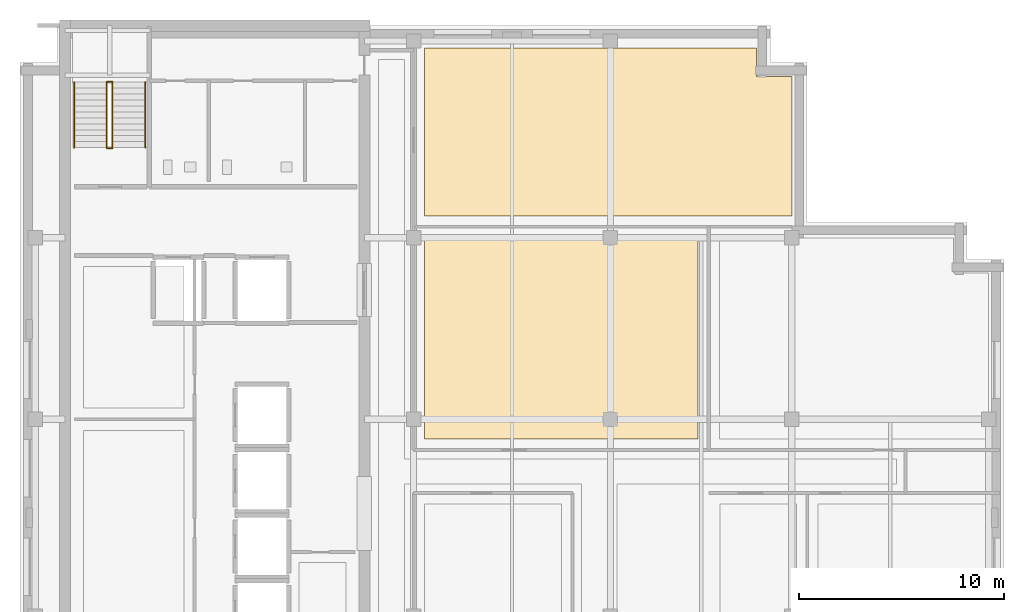
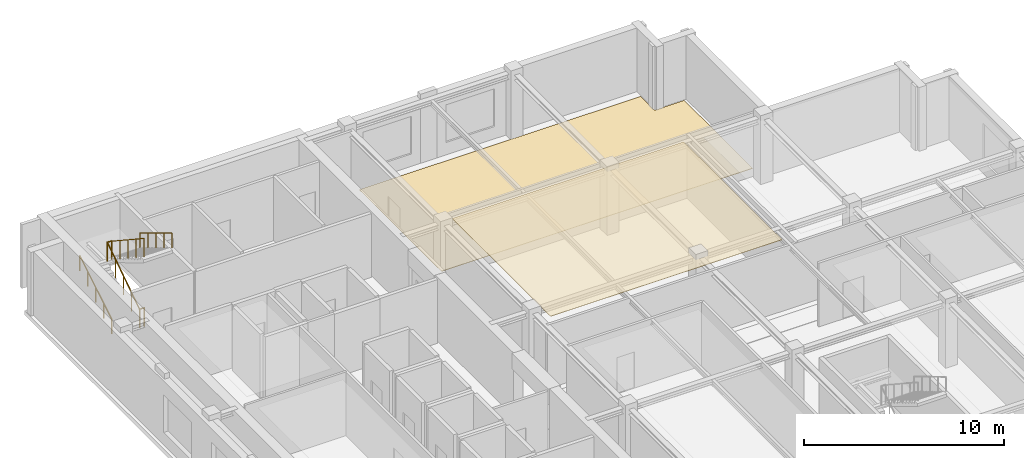
# One storey, part 8 of 10: 6 railings, 2 coverings.
"""IFC4 building model written with IfcOpenShell, lengths in metres."""

import ifcopenshell
import ifcopenshell.guid

model = None  # the IFC model being written
_history = None  # IfcOwnerHistory: only IFC2X3 demands one
_inside = {}  # id of a spatial element -> (the spatial element, [elements in it])
_under = {}  # id of a project, library or spatial element -> (it, [spatial elements below it])
_declared = {}  # id of a project -> (the project, [libraries it declares])
_typed = {}  # id of a type object -> (the type object, [elements of that type])
_made_of = {}  # id of a material, layer set ... -> (it, [elements and type objects made of it])


def new_model(schema):
    """Start an empty IFC model of exactly this schema.

    Asked for "IFC4X3", IfcOpenShell would pick the latest addendum, in which some entities
    have other attributes; the version numbers below select the first issue.
    IFC2X3 requires an IfcOwnerHistory on every rooted entity: one is made here for all.
    """
    global model, _history
    if schema == "IFC4X3":
        model = ifcopenshell.file(schema_version=(4, 3, 0, 0))
    else:
        model = ifcopenshell.file(schema=schema)
    _inside.clear()
    _under.clear()
    _declared.clear()
    _typed.clear()
    _made_of.clear()
    _history = None
    if model.schema == "IFC2X3":
        org = make("IfcOrganization", Name="unknown")
        user = make(
            "IfcPersonAndOrganization",
            ThePerson=make("IfcPerson", FamilyName="unknown"),
            TheOrganization=org,
        )
        app = make(
            "IfcApplication",
            ApplicationDeveloper=org,
            Version="unknown",
            ApplicationFullName="unknown",
            ApplicationIdentifier="unknown",
        )
        _history = make(
            "IfcOwnerHistory",
            OwningUser=user,
            OwningApplication=app,
            ChangeAction="ADDED",
            CreationDate=0,
        )
    return model


def make(cls, **values):
    """One entity of the class cls with the attributes given. An attribute that is None is left unset."""
    return model.create_entity(
        cls, **{name: value for name, value in values.items() if value is not None}
    )


def rooted(cls, **values):
    """An entity with a GlobalId (a new one), such as an element, a storey or a relation."""
    return make(cls, GlobalId=ifcopenshell.guid.new(), OwnerHistory=_history, **values)


def si_unit(unit_type, name, prefix=None):
    """IfcSIUnit, for example si_unit("LENGTHUNIT", "METRE", prefix="MILLI")."""
    return make("IfcSIUnit", UnitType=unit_type, Prefix=prefix, Name=name)


def assignment(units):
    """IfcUnitAssignment: the units of a project."""
    return None if units is None else make("IfcUnitAssignment", Units=units)


def point(xyz):
    """IfcCartesianPoint."""
    return None if xyz is None else make("IfcCartesianPoint", Coordinates=xyz)


def direction(xyz):
    """IfcDirection."""
    return None if xyz is None else make("IfcDirection", DirectionRatios=xyz)


def frame(location, z_axis=None, x_axis=None):
    """IfcAxis2Placement3D, a coordinate frame: its origin and axes. An axis left out is left unset."""
    return make(
        "IfcAxis2Placement3D",
        Location=point(location),
        Axis=direction(z_axis),
        RefDirection=direction(x_axis),
    )


def frame_2d(location, x_axis=None):
    """IfcAxis2Placement2D, a coordinate frame in the plane: its origin and x axis."""
    return make(
        "IfcAxis2Placement2D", Location=point(location), RefDirection=direction(x_axis)
    )


def origin():
    """The frame at (0, 0, 0) with its axes left unset."""
    return frame((0.0, 0.0, 0.0))


def origin_2d():
    """The frame at (0, 0) in the plane with its x axis left unset."""
    return frame_2d((0.0, 0.0))


def place(relative_to, where):
    """IfcLocalPlacement: puts the frame where relative to a parent placement (None: the world)."""
    return make(
        "IfcLocalPlacement", PlacementRelTo=relative_to, RelativePlacement=where
    )


def context(
    kind, dimensions, precision=None, world=None, true_north=None, identifier=None
):
    """IfcGeometricRepresentationContext, for example the 3D "Model" context."""
    return make(
        "IfcGeometricRepresentationContext",
        ContextIdentifier=identifier,
        ContextType=kind,
        CoordinateSpaceDimension=dimensions,
        Precision=precision,
        WorldCoordinateSystem=world,
        TrueNorth=true_north,
    )


def subcontext(parent, identifier, kind, view, scale=None):
    """IfcGeometricRepresentationSubContext, for example "Body" below "Model"."""
    return make(
        "IfcGeometricRepresentationSubContext",
        ContextIdentifier=identifier,
        ContextType=kind,
        ParentContext=parent,
        TargetScale=scale,
        TargetView=view,
    )


def project(units=None, contexts=None):
    """IfcProject with its units and contexts."""
    return rooted(
        "IfcProject",
        Name="project",
        RepresentationContexts=contexts,
        UnitsInContext=assignment(units),
    )


def spatial(cls, under=None, at=None, **own):
    """A site, building, storey or space (cls), placed at a placement, below another one or the project."""
    s = rooted(cls, ObjectPlacement=at, **own)
    if under is not None:
        _under.setdefault(under.id(), (under, []))[1].append(s)
    return s


def polyline(points):
    """IfcPolyline through the points."""
    return make("IfcPolyline", Points=[point(p) for p in points])


def profile(cls, at=None, kind="AREA", **sizes):
    """A parametric profile (cls). Its sizes go by their IFC names, for example OverallWidth=200.0."""
    return make(cls, ProfileType=kind, Position=at, **sizes)


def circle(**sizes):
    """IfcCircleProfileDef."""
    return profile("IfcCircleProfileDef", **sizes)


def outline(outer, holes=None, kind="AREA"):
    """IfcArbitraryClosedProfileDef: a profile drawn as a closed curve; with holes, ...WithVoids."""
    if holes is None:
        return make("IfcArbitraryClosedProfileDef", ProfileType=kind, OuterCurve=outer)
    return make(
        "IfcArbitraryProfileDefWithVoids",
        ProfileType=kind,
        OuterCurve=outer,
        InnerCurves=holes,
    )


def extrude(swept, where, along, depth):
    """IfcExtrudedAreaSolid: the profile swept, set in the frame where, extruded along a direction by depth."""
    return make(
        "IfcExtrudedAreaSolid",
        SweptArea=swept,
        Position=where,
        ExtrudedDirection=direction(along),
        Depth=depth,
    )


def shape(context_of_items, identifier, shape_type, items):
    """IfcShapeRepresentation: the items that make up one representation, for example the "Body"."""
    return make(
        "IfcShapeRepresentation",
        ContextOfItems=context_of_items,
        RepresentationIdentifier=identifier,
        RepresentationType=shape_type,
        Items=items,
    )


def material(Name=None, Category=None):
    """IfcMaterial."""
    return make("IfcMaterial", Name=Name, Category=Category)


def layer(
    of_material, thickness, ventilated=None, Name=None, Category=None, Priority=None
):
    """IfcMaterialLayer: one layer of a wall or slab, of a material (None: an air gap)."""
    return make(
        "IfcMaterialLayer",
        Material=of_material,
        LayerThickness=thickness,
        IsVentilated=ventilated,
        Name=Name,
        Category=Category,
        Priority=Priority,
    )


def layer_set(layers, Name=None):
    """IfcMaterialLayerSet."""
    return make("IfcMaterialLayerSet", MaterialLayers=layers, LayerSetName=Name)


def made_of(thing, what):
    """Note that an element or type object is made of a material, layer set ...; save() writes the relation."""
    if what is not None:
        _made_of.setdefault(what.id(), (what, []))[1].append(thing)
    return thing


def type_object(cls, material=None, **own):
    """A type object (cls), such as IfcWallType, which elements share."""
    return made_of(rooted(cls, **own), material)


def element(
    cls,
    number,
    at=None,
    inside=None,
    cuts=None,
    type_object=None,
    material=None,
    context=None,
    identifier="Body",
    shape_type=None,
    held_by="IfcProductDefinitionShape",
    body=None,
    shapes=None,
    **own,
):
    """One element of the class cls, such as IfcWall. Its Tag is "e" and its number.

    at: its placement. inside: the storey or other place that contains it. cuts: it is an
    opening in that element (IfcRelVoidsElement). A single representation is given by context,
    identifier, shape_type and body (its items); several are given by shapes. held_by: the class
    of the entity that holds the representations. save() writes the other relations.
    """
    e = rooted(cls, Tag="e%d" % number, ObjectPlacement=at, **own)
    if body is not None:
        shapes = [shape(context, identifier, shape_type, body)]
    if shapes is not None:
        e.Representation = make(held_by, Representations=shapes)
    if inside is not None:
        _inside.setdefault(inside.id(), (inside, []))[1].append(e)
    if cuts is not None:
        rooted(
            "IfcRelVoidsElement", RelatingBuildingElement=cuts, RelatedOpeningElement=e
        )
    if type_object is not None:
        _typed.setdefault(type_object.id(), (type_object, []))[1].append(e)
    return made_of(e, material)


def aggregate(whole, parts):
    """IfcRelAggregates: a whole, such as a stair, and the parts it consists of."""
    return rooted("IfcRelAggregates", RelatingObject=whole, RelatedObjects=parts)


def save(model, path):
    """Write the relations noted so far, then the file.

    IfcRelAggregates (storeys below a building ...), IfcRelContainedInSpatialStructure (elements
    in a storey), IfcRelDefinesByType, IfcRelAssociatesMaterial and IfcRelDeclares: one each for
    every whole, place, type object, material and project.
    """
    for whole, parts in _under.values():
        aggregate(whole, parts)
    for where, things in _inside.values():
        rooted(
            "IfcRelContainedInSpatialStructure",
            RelatedElements=things,
            RelatingStructure=where,
        )
    for kind, things in _typed.values():
        rooted("IfcRelDefinesByType", RelatedObjects=things, RelatingType=kind)
    for what, things in _made_of.values():
        rooted("IfcRelAssociatesMaterial", RelatedObjects=things, RelatingMaterial=what)
    for by, libraries in _declared.values():
        rooted("IfcRelDeclares", RelatingContext=by, RelatedDefinitions=libraries)
    model.write(path)


model = new_model("IFC4")

# Units and contexts
model_context = context("Model", 3, precision=1e-05, world=origin(), true_north=direction((0.0, 1.0)))
body_context = subcontext(model_context, "Body", "Model", "MODEL_VIEW")
ifc_project = project(units=[si_unit("LENGTHUNIT", "METRE"), si_unit("AREAUNIT", "SQUARE_METRE"), si_unit("VOLUMEUNIT", "CUBIC_METRE"), si_unit("PLANEANGLEUNIT", "RADIAN"), si_unit("MASSUNIT", "GRAM", prefix="KILO")], contexts=[model_context])

# Site, building, storey
site_placement = place(None, origin())
site = spatial("IfcSite", under=ifc_project, at=site_placement, CompositionType="ELEMENT")
building_placement = place(site_placement, origin())
building = spatial("IfcBuilding", under=site, at=building_placement, Name="Norrvale University Quadrangle", CompositionType="ELEMENT")
storey_placement = place(building_placement, frame((0.0, 0.0, 303.800048828125)))
storey = spatial("IfcBuildingStorey", under=building, at=storey_placement, Name="L77", CompositionType="ELEMENT", Elevation=303.800048828125)

# Coverings
ifc_material_1 = material(Name="Perforated Acoustic Mineral Ceiling")
ifc_layer_1 = layer(ifc_material_1, 0.02490234375, Name="Perforated Acoustic Mineral Ceiling")
ifc_layer_set_1 = layer_set([ifc_layer_1], Name="Perforated Acoustic Mineral Ceiling")
covering_type_1 = type_object("IfcCoveringType", Name="Covering Acoustic Ceiling 25", PredefinedType="CEILING", material=ifc_layer_set_1)
covering_1_placement = place(storey_placement, frame((0.0, 0.0, 3.85498046875)))
element("IfcCovering", 1, at=covering_1_placement, inside=storey, type_object=covering_type_1, Name="Acoustic Ceiling RM-L77-ME01", PredefinedType="CEILING", context=body_context, shape_type="SweptSolid", body=[
    extrude(outline(polyline([(19.72998046875, 37.64990234375), (33.070068359375, 37.64990234375), (33.070068359375, 27.830078125), (19.72998046875, 27.830078125), (19.72998046875, 37.64990234375)])), origin(), (0.0, 0.0, 1.0), 0.02490234375),
])
ifc_material_2 = material(Name="Polished Terrazzo Flooring")
ifc_layer_2 = layer(ifc_material_2, 0.02490234375, Name="Polished Terrazzo Flooring")
ifc_layer_set_2 = layer_set([ifc_layer_2], Name="Polished Terrazzo Flooring")
covering_type_2 = type_object("IfcCoveringType", Name="Covering Terrazzo Floor 30", PredefinedType="FLOORING", material=ifc_layer_set_2)
covering_2_placement = place(storey_placement, origin())
element("IfcCovering", 2, at=covering_2_placement, inside=storey, type_object=covering_type_2, Name="Terrazzo Flooring RM-L77-NE01", PredefinedType="FLOORING", context=body_context, shape_type="SweptSolid", body=[
    extrude(outline(polyline([(37.64990234375, 38.7099609375), (19.72998046875, 38.7099609375), (19.72998046875, 46.919921875), (35.929931640625, 46.919921875), (35.929931640625, 45.530029296875), (37.64990234375, 45.530029296875), (37.64990234375, 38.7099609375)])), origin(), (0.0, 0.0, 1.0), 0.02490234375),
])

# Railings
ifc_material_3 = material(Name="Steel 350W Painted Balustrade", Category="steel")
railing_type_1 = type_object("IfcRailingType", Name="Railing Stair Guard 1100", PredefinedType="GUARDRAIL", material=ifc_material_3)
for number, where, name in (
    (3, (4.239990234375, 42.02001953125, 0.0), "Stair Floor Well Guard ST-02 L77"),
    (4, (4.239990234375, 45.27001953125, 2.099853515625), "Stair Mid-Landing Slot Guard ST-02 L77"),
):
    element("IfcRailing", number, at=place(storey_placement, frame(where)), inside=storey, type_object=railing_type_1, Name=name, PredefinedType="GUARDRAIL", context=body_context, shape_type="SweptSolid", body=[
        extrude(circle(Radius=0.02392578125, at=origin_2d()), frame((0.0, 0.0, 1.1259765625), z_axis=(1.0, 0.0, 0.0), x_axis=(0.0, 1.0, 0.0)), (0.0, 0.0, 1.0), 0.27001953125),
        extrude(circle(Radius=0.02099609375, at=origin_2d()), origin(), (0.0, 0.0, 1.0), 1.101806640625),
        extrude(circle(Radius=0.02099609375, at=origin_2d()), frame((0.27001953125, 0.0, 0.0)), (0.0, 0.0, 1.0), 1.101806640625),
    ])
railing_1_placement = place(storey_placement, frame((4.239990234375, 42.050048828125, 0.0)))
element("IfcRailing", 5, at=railing_1_placement, inside=storey, type_object=railing_type_1, Name="Stair Lower Flight Inner Guard ST-02 L77", PredefinedType="GUARDRAIL", context=body_context, shape_type="SweptSolid", body=[
    extrude(circle(Radius=0.02392578125, at=origin_2d()), frame((0.0, 0.0, 1.1259765625), z_axis=(0.0, 0.835271834381, 0.549837214719), x_axis=(-1.0, 0.0, 0.0)), (0.0, 0.0, 1.0), 3.819091796875),
    extrude(circle(Radius=0.02099609375, at=origin_2d()), origin(), (0.0, 0.0, 1.0), 1.101806640625),
    extrude(circle(Radius=0.02099609375, at=origin_2d()), frame((0.0, 0.79736328125, 0.52490234375)), (0.0, 0.0, 1.0), 1.101806640625),
    extrude(circle(Radius=0.02099609375, at=origin_2d()), frame((0.0, 1.594970703125, 1.0498046875)), (0.0, 0.0, 1.0), 1.101806640625),
    extrude(circle(Radius=0.02099609375, at=origin_2d()), frame((0.0, 2.392578125, 1.574951171875)), (0.0, 0.0, 1.0), 1.101806640625),
    extrude(circle(Radius=0.02099609375, at=origin_2d()), frame((0.0, 3.18994140625, 2.099853515625)), (0.0, 0.0, 1.0), 1.101806640625),
])
railing_2_placement = place(storey_placement, frame((4.510009765625, 45.239990234375, 2.099853515625)))
element("IfcRailing", 6, at=railing_2_placement, inside=storey, type_object=railing_type_1, Name="Stair Upper Flight Inner Guard ST-02 L77", PredefinedType="GUARDRAIL", context=body_context, shape_type="SweptSolid", body=[
    extrude(circle(Radius=0.02392578125, at=origin_2d()), frame((0.0, 0.0, 1.1259765625), z_axis=(0.0, -0.835242474824, 0.549881812983), x_axis=(1.0, 0.0, 0.0)), (0.0, 0.0, 1.0), 3.819091796875),
    extrude(circle(Radius=0.02099609375, at=origin_2d()), origin(), (0.0, 0.0, 1.0), 1.101806640625),
    extrude(circle(Radius=0.02099609375, at=origin_2d()), frame((0.0, -0.79736328125, 0.52490234375)), (0.0, 0.0, 1.0), 1.101806640625),
    extrude(circle(Radius=0.02099609375, at=origin_2d()), frame((0.0, -1.594970703125, 1.050048828125)), (0.0, 0.0, 1.0), 1.101806640625),
    extrude(circle(Radius=0.02099609375, at=origin_2d()), frame((0.0, -2.392578125, 1.5751953125)), (0.0, 0.0, 1.0), 1.101806640625),
    extrude(circle(Radius=0.02099609375, at=origin_2d()), frame((0.0, -3.18994140625, 2.10009765625)), (0.0, 0.0, 1.0), 1.101806640625),
])
ifc_material_4 = material(Name="Stainless Steel 316L Handrail", Category="steel")
railing_type_2 = type_object("IfcRailingType", Name="Railing Stair Handrail 920", PredefinedType="HANDRAIL", material=ifc_material_4)
railing_3_placement = place(storey_placement, frame((2.639892578125, 42.050048828125, 0.175048828125)))
element("IfcRailing", 7, at=railing_3_placement, inside=storey, type_object=railing_type_2, Name="Stair Lower Flight Handrail ST-02 L77", PredefinedType="HANDRAIL", context=body_context, shape_type="SweptSolid", body=[
    extrude(circle(Radius=0.02392578125, at=origin_2d()), frame((0.0, 0.0, 0.89599609375), z_axis=(0.0, 0.856206652436, 0.516633495163), x_axis=(-1.0, 0.0, 0.0)), (0.0, 0.0, 1.0), 3.7255859375),
    extrude(circle(Radius=0.02099609375, at=origin_2d()), origin(), (0.0, 0.0, 1.0), 0.871826171875),
    extrude(circle(Radius=0.02099609375, at=origin_2d()), frame((0.0, 0.79736328125, 0.481201171875)), (0.0, 0.0, 1.0), 0.871826171875),
    extrude(circle(Radius=0.02099609375, at=origin_2d()), frame((0.0, 1.594970703125, 0.96240234375)), (0.0, 0.0, 1.0), 0.871826171875),
    extrude(circle(Radius=0.02099609375, at=origin_2d()), frame((0.0, 2.392578125, 1.443603515625)), (0.0, 0.0, 1.0), 0.871826171875),
    extrude(circle(Radius=0.02099609375, at=origin_2d()), frame((0.0, 3.18994140625, 1.9248046875)), (0.0, 0.0, 1.0), 0.871826171875),
])
railing_4_placement = place(storey_placement, frame((6.110107421875, 45.239990234375, 2.27490234375)))
element("IfcRailing", 8, at=railing_4_placement, inside=storey, type_object=railing_type_2, Name="Stair Upper Flight Handrail ST-02 L77", PredefinedType="HANDRAIL", context=body_context, shape_type="SweptSolid", body=[
    extrude(circle(Radius=0.02392578125, at=origin_2d()), frame((0.0, 0.0, 0.89599609375), z_axis=(0.0, -0.856177665481, 0.516681531633), x_axis=(1.0, 0.0, 0.0)), (0.0, 0.0, 1.0), 3.725830078125),
    extrude(circle(Radius=0.02099609375, at=origin_2d()), origin(), (0.0, 0.0, 1.0), 0.871826171875),
    extrude(circle(Radius=0.02099609375, at=origin_2d()), frame((0.0, -0.79736328125, 0.481201171875)), (0.0, 0.0, 1.0), 0.871826171875),
    extrude(circle(Radius=0.02099609375, at=origin_2d()), frame((0.0, -1.594970703125, 0.96240234375)), (0.0, 0.0, 1.0), 0.871826171875),
    extrude(circle(Radius=0.02099609375, at=origin_2d()), frame((0.0, -2.392578125, 1.44384765625)), (0.0, 0.0, 1.0), 0.871826171875),
    extrude(circle(Radius=0.02099609375, at=origin_2d()), frame((0.0, -3.18994140625, 1.925048828125)), (0.0, 0.0, 1.0), 0.871826171875),
])

save(model, "model.ifc")
